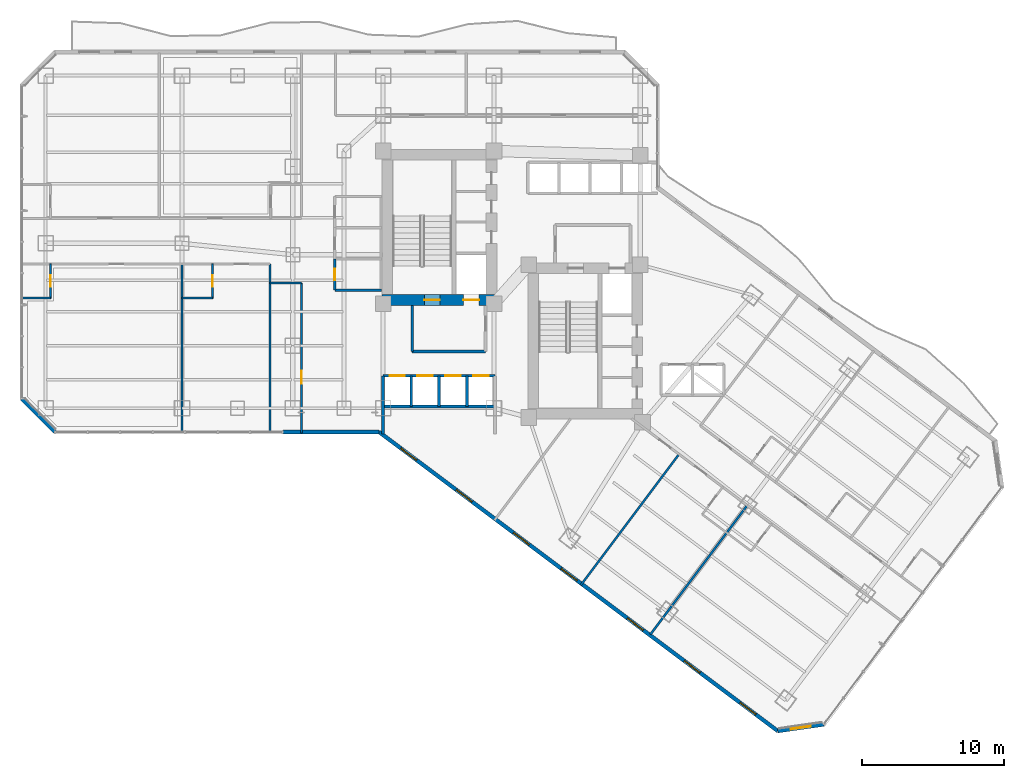
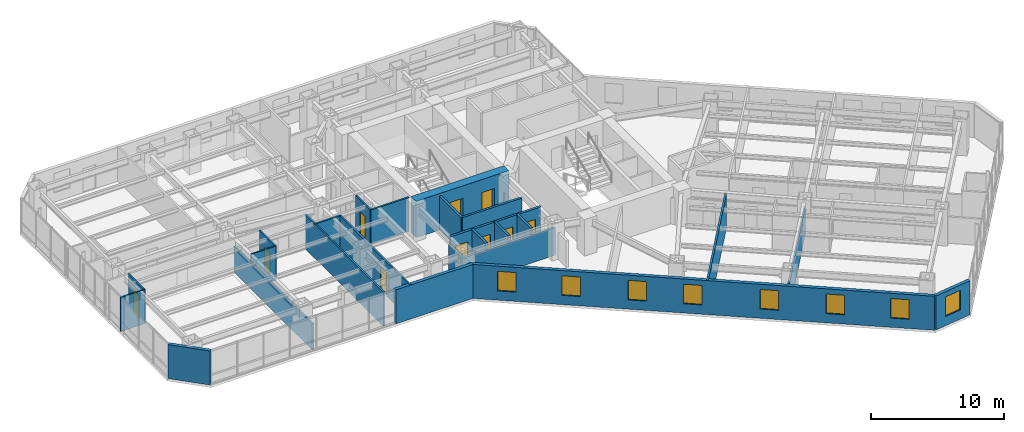
# One storey, part 23 of 37: 25 walls, 10 doors, 8 windows, 18 openings.
"""IFC4 building model written with IfcOpenShell, lengths in metres."""

from ifc_helpers import new_model, si_unit, direction, frame, frame_2d, origin, place, context, subcontext, project, spatial, rectangle, extrude, material, layer, layer_set, type_object, element, fill, save


model = new_model("IFC4")

# Units and contexts
model_context = context("Model", 3, precision=1e-05, world=origin(), true_north=direction((0.0, 1.0)))
body_context = subcontext(model_context, "Body", "Model", "MODEL_VIEW")
ifc_project = project(units=[si_unit("LENGTHUNIT", "METRE"), si_unit("AREAUNIT", "SQUARE_METRE"), si_unit("VOLUMEUNIT", "CUBIC_METRE"), si_unit("PLANEANGLEUNIT", "RADIAN"), si_unit("MASSUNIT", "GRAM", prefix="KILO")], contexts=[model_context])

# Site, building, storey
site_placement = place(None, origin())
site = spatial("IfcSite", under=ifc_project, at=site_placement, CompositionType="ELEMENT")
building_placement = place(site_placement, origin())
building = spatial("IfcBuilding", under=site, at=building_placement, Name="Hatsunagi Terrace Concourse", CompositionType="ELEMENT")
storey_placement = place(building_placement, frame((0.0, 0.0, 39.949951171875)))
storey = spatial("IfcBuildingStorey", under=building, at=storey_placement, Name="L09", CompositionType="ELEMENT", Elevation=39.949951171875)

# Wall, openings, doors
ifc_material_1 = material(Name="Concrete Fc60", Category="concrete")
ifc_layer_1 = layer(ifc_material_1, 0.75)
ifc_layer_set_1 = layer_set([ifc_layer_1], Name="CoreShearWall_Fc60_750")
wall_type_1 = type_object("IfcWallType", Name="CoreShearWall_Fc60_750", PredefinedType="SHEAR", material=ifc_layer_set_1)
wall_1_placement = place(storey_placement, frame((25.469970703125, 32.81494140625, 0.0), z_axis=(0.0, 0.0, 1.0), x_axis=(1.0, 0.0, 0.0)))
wall_1 = element("IfcWall", 1, at=wall_1_placement, inside=storey, type_object=wall_type_1, Name="Core A Shear Wall S L09", PredefinedType="SHEAR", context=body_context, shape_type="SweptSolid", body=[
    extrude(rectangle(XDim=8.080078125, YDim=0.75, at=frame_2d((4.0400390625, 0.0))), origin(), (0.0, 0.0, 1.0), 3.35009765625),
])
opening_1_placement = place(wall_1_placement, frame((2.97998046875, 0.0, 0.0)))
opening_1 = element("IfcOpeningElement", 2, at=opening_1_placement, cuts=wall_1, Name="Opening DR-110S", PredefinedType="OPENING", context=body_context, shape_type="SweptSolid", body=[
    extrude(rectangle(XDim=1.10009765625, YDim=2.199951171875, at=frame_2d((0.550048828125, 1.10009765625))), frame((0.0, 0.385009765625, 0.0), z_axis=(0.0, -1.0, 0.0), x_axis=(1.0, 0.0, 0.0)), (0.0, 0.0, 1.0), 0.77001953125),
])
opening_2_placement = place(wall_1_placement, frame((5.72998046875, 0.0, 0.0)))
opening_2 = element("IfcOpeningElement", 3, at=opening_2_placement, cuts=wall_1, Name="Opening LD-01", PredefinedType="OPENING", context=body_context, shape_type="SweptSolid", body=[
    extrude(rectangle(XDim=1.10009765625, YDim=2.14990234375, at=frame_2d((0.550048828125, 1.074951171875))), frame((0.0, 0.385009765625, 0.0), z_axis=(0.0, -1.0, 0.0), x_axis=(1.0, 0.0, 0.0)), (0.0, 0.0, 1.0), 0.77001953125),
])
ifc_material_2 = material(Name="Stainless steel", Category="steel")
door_type_1 = type_object("IfcDoorType", Name="LiftLandingDoor_LD01", OperationType="SLIDING_TO_LEFT", PredefinedType="USERDEFINED", material=ifc_material_2)
door_1_placement = place(opening_2_placement, origin())
door_1 = element("IfcDoor", 4, at=door_1_placement, inside=storey, type_object=door_type_1, Name="Lift landing door FF-01 L09", ObjectType="SLIDING_LANDING_DOOR", OperationType="SLIDING_TO_LEFT", OverallHeight=2.14990234375, OverallWidth=1.10009765625, PredefinedType="USERDEFINED", context=body_context, shape_type="SweptSolid", body=[
    extrude(rectangle(XDim=1.10009765625, YDim=2.14990234375, at=frame_2d((0.550048828125, 1.074951171875))), frame((0.0, 0.02490234375, 0.0), z_axis=(0.0, -1.0, 0.0), x_axis=(1.0, 0.0, 0.0)), (0.0, 0.0, 1.0), 0.050048828125),
])
fill(opening_2, door_1)
ifc_material_3 = material(Name="Painted steel", Category="steel")
door_type_2 = type_object("IfcDoorType", Name="StairFireDoor_EI60_1100", OperationType="NOTDEFINED", PredefinedType="DOOR", material=ifc_material_3)
door_2_placement = place(opening_1_placement, origin())
door_2 = element("IfcDoor", 5, at=door_2_placement, inside=storey, type_object=door_type_2, Name="Stair ST-A Exit Door L09", OperationType="SINGLE_SWING_LEFT", OverallHeight=2.199951171875, OverallWidth=1.10009765625, PredefinedType="DOOR", context=body_context, shape_type="SweptSolid", body=[
    extrude(rectangle(XDim=1.10009765625, YDim=2.199951171875, at=frame_2d((0.550048828125, 1.10009765625))), frame((0.0, 0.02490234375, 0.0), z_axis=(0.0, -1.0, 0.0), x_axis=(1.0, 0.0, 0.0)), (0.0, 0.0, 1.0), 0.050048828125),
])
fill(opening_1, door_2)

# Wall, opening, door
ifc_material_4 = material(Name="Acoustic mineral board", Category="gypsum")
ifc_layer_2 = layer(ifc_material_4, 0.1201171875)
ifc_layer_set_2 = layer_set([ifc_layer_2], Name="PartitionWall_EI30_120")
wall_type_2 = type_object("IfcWallType", Name="PartitionWall_EI30_120", PredefinedType="PARTITIONING", material=ifc_layer_set_2)
wall_2_placement = place(storey_placement, frame((2.14990234375, 32.949951171875, 0.0), z_axis=(0.0, 0.0, 1.0), x_axis=(0.0, 1.0, 0.0)))
wall_2 = element("IfcWall", 6, at=wall_2_placement, inside=storey, type_object=wall_type_2, Name="Interior Partition IW-L09-058", PredefinedType="PARTITIONING", context=body_context, shape_type="SweptSolid", body=[
    extrude(rectangle(XDim=2.400146484375, YDim=0.1201171875, at=frame_2d((1.2001953125, 0.0))), origin(), (0.0, 0.0, 1.0), 3.130126953125),
])
opening_3_placement = place(wall_2_placement, frame((0.800048828125, 0.0, 0.0)))
opening_3 = element("IfcOpeningElement", 7, at=opening_3_placement, cuts=wall_2, Name="Opening DR-080", PredefinedType="OPENING", context=body_context, shape_type="SweptSolid", body=[
    extrude(rectangle(XDim=0.800048828125, YDim=2.06005859375, at=frame_2d((0.39990234375, 1.030029296875))), frame((0.0, 0.070068359375, 0.0), z_axis=(0.0, -1.0, 0.0), x_axis=(1.0, 0.0, 0.0)), (0.0, 0.0, 1.0), 0.14013671875),
])
ifc_material_5 = material(Name="Hardwood timber", Category="wood")
door_type_3 = type_object("IfcDoorType", Name="BathroomDoor_800", OperationType="NOTDEFINED", PredefinedType="DOOR", material=ifc_material_5)
door_3_placement = place(opening_3_placement, origin())
door_3 = element("IfcDoor", 8, at=door_3_placement, inside=storey, type_object=door_type_3, Name="En-Suite Bathroom L09-S1 Door", OperationType="SINGLE_SWING_RIGHT", OverallHeight=2.06005859375, OverallWidth=0.800048828125, PredefinedType="DOOR", context=body_context, shape_type="SweptSolid", body=[
    extrude(rectangle(XDim=0.800048828125, YDim=2.06005859375, at=frame_2d((0.39990234375, 1.030029296875))), frame((0.0, 0.02490234375, 0.0), z_axis=(0.0, -1.0, 0.0), x_axis=(1.0, 0.0, 0.0)), (0.0, 0.0, 1.0), 0.050048828125),
])
fill(opening_3, door_3)

# Wall
wall_3_placement = place(storey_placement, frame((0.0400390625, 32.949951171875, 0.0), z_axis=(0.0, 0.0, 1.0), x_axis=(1.0, 0.0, 0.0)))
element("IfcWall", 9, at=wall_3_placement, inside=storey, type_object=wall_type_2, Name="Interior Partition IW-L09-059", PredefinedType="PARTITIONING", context=body_context, shape_type="SweptSolid", body=[
    extrude(rectangle(XDim=2.10986328125, YDim=0.1201171875, at=frame_2d((1.054931640625, 0.0))), origin(), (0.0, 0.0, 1.0), 3.130126953125),
])

# Wall, opening, door
wall_4_placement = place(storey_placement, frame((13.550048828125, 32.949951171875, 0.0), z_axis=(0.0, 0.0, 1.0), x_axis=(0.0, 1.0, 0.0)))
wall_4 = element("IfcWall", 10, at=wall_4_placement, inside=storey, type_object=wall_type_2, Name="Interior Partition IW-L09-063", PredefinedType="PARTITIONING", context=body_context, shape_type="SweptSolid", body=[
    extrude(rectangle(XDim=2.400146484375, YDim=0.1201171875, at=frame_2d((1.2001953125, 0.0))), origin(), (0.0, 0.0, 1.0), 3.130126953125),
])
opening_4_placement = place(wall_4_placement, frame((0.800048828125, 0.0, 0.0)))
opening_4 = element("IfcOpeningElement", 11, at=opening_4_placement, cuts=wall_4, Name="Opening DR-080", PredefinedType="OPENING", context=body_context, shape_type="SweptSolid", body=[
    extrude(rectangle(XDim=0.800048828125, YDim=2.06005859375, at=frame_2d((0.39990234375, 1.030029296875))), frame((0.0, 0.070068359375, 0.0), z_axis=(0.0, -1.0, 0.0), x_axis=(1.0, 0.0, 0.0)), (0.0, 0.0, 1.0), 0.14013671875),
])
door_4_placement = place(opening_4_placement, origin())
door_4 = element("IfcDoor", 12, at=door_4_placement, inside=storey, type_object=door_type_3, Name="En-Suite Bathroom L09-S2 Door", OperationType="SINGLE_SWING_RIGHT", OverallHeight=2.06005859375, OverallWidth=0.800048828125, PredefinedType="DOOR", context=body_context, shape_type="SweptSolid", body=[
    extrude(rectangle(XDim=0.800048828125, YDim=2.06005859375, at=frame_2d((0.39990234375, 1.030029296875))), frame((0.0, 0.02490234375, 0.0), z_axis=(0.0, -1.0, 0.0), x_axis=(1.0, 0.0, 0.0)), (0.0, 0.0, 1.0), 0.050048828125),
])
fill(opening_4, door_4)

# Walls
wall_5_placement = place(storey_placement, frame((11.39990234375, 32.949951171875, 0.0), z_axis=(0.0, 0.0, 1.0), x_axis=(1.0, 0.0, 0.0)))
element("IfcWall", 13, at=wall_5_placement, inside=storey, type_object=wall_type_2, Name="Interior Partition IW-L09-064", PredefinedType="PARTITIONING", context=body_context, shape_type="SweptSolid", body=[
    extrude(rectangle(XDim=2.150146484375, YDim=0.1201171875, at=frame_2d((1.0751953125, 0.0))), origin(), (0.0, 0.0, 1.0), 3.130126953125),
])
ifc_material_6 = material(Name="Acoustic mineral board", Category="gypsum")
ifc_layer_3 = layer(ifc_material_6, 0.14990234375)
ifc_layer_set_3 = layer_set([ifc_layer_3], Name="PartitionWall_EI60_150")
wall_type_3 = type_object("IfcWallType", Name="PartitionWall_EI60_150", PredefinedType="PARTITIONING", material=ifc_layer_set_3)
wall_6_placement = place(storey_placement, frame((22.14990234375, 33.5, 0.0), z_axis=(0.0, 0.0, 1.0), x_axis=(1.0, 0.0, 0.0)))
element("IfcWall", 14, at=wall_6_placement, inside=storey, type_object=wall_type_3, Name="Interior Partition IW-L09-031", PredefinedType="PARTITIONING", context=body_context, shape_type="SweptSolid", body=[
    extrude(rectangle(XDim=3.300048828125, YDim=0.14990234375, at=frame_2d((1.64990234375, 0.0))), origin(), (0.0, 0.0, 1.0), 3.130126953125),
])

# Wall, opening, door
wall_7_placement = place(storey_placement, frame((22.14990234375, 33.5, 0.0), z_axis=(0.0, 0.0, 1.0), x_axis=(0.0, 1.0, 0.0)))
wall_7 = element("IfcWall", 15, at=wall_7_placement, inside=storey, type_object=wall_type_3, Name="Interior Partition IW-L09-036", PredefinedType="PARTITIONING", context=body_context, shape_type="SweptSolid", body=[
    extrude(rectangle(XDim=2.199951171875, YDim=0.14990234375, at=frame_2d((1.10009765625, 0.0))), origin(), (0.0, 0.0, 1.0), 3.130126953125),
])
opening_5_placement = place(wall_7_placement, frame((0.699951171875, 0.0, 0.0)))
opening_5 = element("IfcOpeningElement", 16, at=opening_5_placement, cuts=wall_7, Name="Opening DR-080", PredefinedType="OPENING", context=body_context, shape_type="SweptSolid", body=[
    extrude(rectangle(XDim=0.800048828125, YDim=2.06005859375, at=frame_2d((0.39990234375, 1.030029296875))), frame((0.0, 0.0849609375, 0.0), z_axis=(0.0, -1.0, 0.0), x_axis=(1.0, 0.0, 0.0)), (0.0, 0.0, 1.0), 0.169921875),
])
door_5_placement = place(opening_5_placement, origin())
door_5 = element("IfcDoor", 17, at=door_5_placement, inside=storey, type_object=door_type_3, Name="Accessible WC Door L09", OperationType="SINGLE_SWING_RIGHT", OverallHeight=2.06005859375, OverallWidth=0.800048828125, PredefinedType="DOOR", context=body_context, shape_type="SweptSolid", body=[
    extrude(rectangle(XDim=0.800048828125, YDim=2.06005859375, at=frame_2d((0.39990234375, 1.030029296875))), frame((0.0, 0.02490234375, 0.0), z_axis=(0.0, -1.0, 0.0), x_axis=(1.0, 0.0, 0.0)), (0.0, 0.0, 1.0), 0.050048828125),
])
fill(opening_5, door_5)

# Walls
wall_8_placement = place(storey_placement, frame((39.464111328125, 12.751953125, 0.0), z_axis=(0.0, 0.0, 1.0), x_axis=(0.6, 0.8, 0.0)))
element("IfcWall", 18, at=wall_8_placement, inside=storey, type_object=wall_type_3, Name="Interior Partition IW-L09-045", PredefinedType="PARTITIONING", context=body_context, shape_type="SweptSolid", body=[
    extrude(rectangle(XDim=11.510009765625, YDim=0.14990234375, at=frame_2d((5.7548828125, 0.0))), origin(), (0.0, 0.0, 1.0), 3.130126953125),
])
wall_9_placement = place(storey_placement, frame((11.39990234375, 23.60009765625, 0.0), z_axis=(0.0, 0.0, 1.0), x_axis=(0.0, 1.0, 0.0)))
element("IfcWall", 19, at=wall_9_placement, inside=storey, type_object=wall_type_3, Name="Interior Partition IW-L09-060", PredefinedType="PARTITIONING", context=body_context, shape_type="SweptSolid", body=[
    extrude(rectangle(XDim=11.75, YDim=0.14990234375, at=frame_2d((5.875, 0.0))), origin(), (0.0, 0.0, 1.0), 2.425048828125),
])
wall_10_placement = place(storey_placement, frame((17.60009765625, 23.60009765625, 0.0), z_axis=(0.0, 0.0, 1.0), x_axis=(0.0, 1.0, 0.0)))
element("IfcWall", 20, at=wall_10_placement, inside=storey, type_object=wall_type_3, Name="Interior Partition IW-L09-065", PredefinedType="PARTITIONING", context=body_context, shape_type="SweptSolid", body=[
    extrude(rectangle(XDim=11.75, YDim=0.14990234375, at=frame_2d((5.875, 0.0))), origin(), (0.0, 0.0, 1.0), 3.130126953125),
])
wall_11_placement = place(storey_placement, frame((17.60009765625, 34.0, 0.0), z_axis=(0.0, 0.0, 1.0), x_axis=(1.0, 0.0, 0.0)))
element("IfcWall", 21, at=wall_11_placement, inside=storey, type_object=wall_type_3, Name="Interior Partition IW-L09-066", PredefinedType="PARTITIONING", context=body_context, shape_type="SweptSolid", body=[
    extrude(rectangle(XDim=2.199951171875, YDim=0.14990234375, at=frame_2d((1.10009765625, 0.0))), origin(), (0.0, 0.0, 1.0), 3.130126953125),
])

# Wall, opening, door
wall_12_placement = place(storey_placement, frame((19.800048828125, 23.43994140625, 0.0), z_axis=(0.0, 0.0, 1.0), x_axis=(0.0, 1.0, 0.0)))
wall_12 = element("IfcWall", 22, at=wall_12_placement, inside=storey, type_object=wall_type_3, Name="Interior Partition IW-L09-067", PredefinedType="PARTITIONING", context=body_context, shape_type="SweptSolid", body=[
    extrude(rectangle(XDim=10.56005859375, YDim=0.14990234375, at=frame_2d((5.280029296875, 0.0))), origin(), (0.0, 0.0, 1.0), 3.130126953125),
])
opening_6_placement = place(wall_12_placement, frame((3.4951171875, 0.0, 0.0)))
opening_6 = element("IfcOpeningElement", 23, at=opening_6_placement, cuts=wall_12, Name="Opening DR-090", PredefinedType="OPENING", context=body_context, shape_type="SweptSolid", body=[
    extrude(rectangle(XDim=0.89990234375, YDim=2.14990234375, at=frame_2d((0.449951171875, 1.074951171875))), frame((0.0, 0.0849609375, 0.0), z_axis=(0.0, -1.0, 0.0), x_axis=(1.0, 0.0, 0.0)), (0.0, 0.0, 1.0), 0.169921875),
])
ifc_material_7 = material(Name="Hardwood timber", Category="wood")
door_type_4 = type_object("IfcDoorType", Name="CrownPavilionDoor_EI30_900", OperationType="NOTDEFINED", PredefinedType="DOOR", material=ifc_material_7)
door_6_placement = place(opening_6_placement, origin())
door_6 = element("IfcDoor", 24, at=door_6_placement, inside=storey, type_object=door_type_4, Name="Catering Pantry L09-HPAN Door", OperationType="SINGLE_SWING_RIGHT", OverallHeight=2.14990234375, OverallWidth=0.89990234375, PredefinedType="DOOR", context=body_context, shape_type="SweptSolid", body=[
    extrude(rectangle(XDim=0.89990234375, YDim=2.14990234375, at=frame_2d((0.449951171875, 1.074951171875))), frame((0.0, 0.02490234375, 0.0), z_axis=(0.0, -1.0, 0.0), x_axis=(1.0, 0.0, 0.0)), (0.0, 0.0, 1.0), 0.050048828125),
])
fill(opening_6, door_6)

# Walls
wall_13_placement = place(storey_placement, frame((44.360107421875, 9.280029296875, 0.0), z_axis=(0.0, 0.0, 1.0), x_axis=(0.599986233332, 0.800010324816, 0.0)))
element("IfcWall", 25, at=wall_13_placement, inside=storey, type_object=wall_type_3, Name="Interior Partition IW-L09-087", PredefinedType="PARTITIONING", context=body_context, shape_type="SweptSolid", body=[
    extrude(rectangle(XDim=11.349853515625, YDim=0.14990234375, at=frame_2d((5.6748046875, 0.0))), origin(), (0.0, 0.0, 1.0), 2.425048828125),
])
ifc_material_8 = material(Name="Acoustic mineral board", Category="gypsum")
ifc_layer_4 = layer(ifc_material_8, 0.199951171875)
ifc_layer_set_4 = layer_set([ifc_layer_4], Name="ShaftWall_EI120_200")
wall_type_4 = type_object("IfcWallType", Name="ShaftWall_EI120_200", PredefinedType="STANDARD", material=ifc_layer_set_4)
wall_14_placement = place(storey_placement, frame((27.60009765625, 29.199951171875, 0.0), z_axis=(0.0, 0.0, 1.0), x_axis=(1.0, 0.0, 0.0)))
element("IfcWall", 26, at=wall_14_placement, inside=storey, type_object=wall_type_4, Name="Interior Partition IW-L09-007", PredefinedType="STANDARD", context=body_context, shape_type="SweptSolid", body=[
    extrude(rectangle(XDim=5.14990234375, YDim=0.199951171875, at=frame_2d((2.574951171875, 0.0))), origin(), (0.0, 0.0, 1.0), 3.130126953125),
])
wall_15_placement = place(storey_placement, frame((27.60009765625, 29.199951171875, 0.0), z_axis=(0.0, 0.0, 1.0), x_axis=(0.0, 1.0, 0.0)))
element("IfcWall", 27, at=wall_15_placement, inside=storey, type_object=wall_type_4, Name="Interior Partition IW-L09-008", PredefinedType="STANDARD", context=body_context, shape_type="SweptSolid", body=[
    extrude(rectangle(XDim=3.239990234375, YDim=0.199951171875, at=frame_2d((1.6201171875, 0.0))), origin(), (0.0, 0.0, 1.0), 3.130126953125),
])
wall_16_placement = place(storey_placement, frame((25.550048828125, 23.39990234375, 0.0), z_axis=(0.0, 0.0, 1.0), x_axis=(0.0, 1.0, 0.0)))
element("IfcWall", 28, at=wall_16_placement, inside=storey, type_object=wall_type_4, Name="Interior Partition IW-L09-013", PredefinedType="STANDARD", context=body_context, shape_type="SweptSolid", body=[
    extrude(rectangle(XDim=4.080078125, YDim=0.199951171875, at=frame_2d((2.0400390625, 0.0))), origin(), (0.0, 0.0, 1.0), 2.425048828125),
])
wall_17_placement = place(storey_placement, frame((25.550048828125, 25.320068359375, 0.0), z_axis=(0.0, 0.0, 1.0), x_axis=(1.0, 0.0, 0.0)))
element("IfcWall", 29, at=wall_17_placement, inside=storey, type_object=wall_type_4, Name="Interior Partition IW-L09-015", PredefinedType="STANDARD", context=body_context, shape_type="SweptSolid", body=[
    extrude(rectangle(XDim=7.8798828125, YDim=0.199951171875, at=frame_2d((3.93994140625, 0.0))), origin(), (0.0, 0.0, 1.0), 2.525146484375),
])
for number, where, z_axis, x_axis, name in (
    (30, (27.530029296875, 25.320068359375, 0.0), (0.0, 0.0, 1.0), (0.0, 1.0, 0.0), "Interior Partition IW-L09-016"),
    (31, (29.489990234375, 25.320068359375, 0.0), (0.0, 0.0, 1.0), (0.0, 1.0, 0.0), "Interior Partition IW-L09-017"),
    (32, (31.449951171875, 25.320068359375, 0.0), (0.0, 0.0, 1.0), (0.0, 1.0, 0.0), "Interior Partition IW-L09-018"),
):
    element("IfcWall", number, at=place(storey_placement, frame(where, z_axis=z_axis, x_axis=x_axis)), inside=storey, type_object=wall_type_4, Name=name, PredefinedType="STANDARD", context=body_context, shape_type="SweptSolid", body=[
        extrude(rectangle(XDim=2.159912109375, YDim=0.199951171875, at=frame_2d((1.080078125, 0.0))), origin(), (0.0, 0.0, 1.0), 3.130126953125),
    ])

# Wall, openings, doors
wall_18_placement = place(storey_placement, frame((25.550048828125, 27.47998046875, 0.0), z_axis=(0.0, 0.0, 1.0), x_axis=(1.0, 0.0, 0.0)))
wall_18 = element("IfcWall", 33, at=wall_18_placement, inside=storey, type_object=wall_type_4, Name="Interior Partition IW-L09-019", PredefinedType="STANDARD", context=body_context, shape_type="SweptSolid", body=[
    extrude(rectangle(XDim=7.8798828125, YDim=0.199951171875, at=frame_2d((3.93994140625, 0.0))), origin(), (0.0, 0.0, 1.0), 3.130126953125),
])
opening_7_placement = place(wall_18_placement, frame((0.4599609375, 0.0, 0.0)))
opening_7 = element("IfcOpeningElement", 34, at=opening_7_placement, cuts=wall_18, Name="Opening LD-03", PredefinedType="OPENING", context=body_context, shape_type="SweptSolid", body=[
    extrude(rectangle(XDim=1.080078125, YDim=2.14990234375, at=frame_2d((0.5400390625, 1.074951171875))), frame((0.0, 0.10986328125, 0.0), z_axis=(0.0, -1.0, 0.0), x_axis=(1.0, 0.0, 0.0)), (0.0, 0.0, 1.0), 0.219970703125),
])
opening_8_placement = place(wall_18_placement, frame((2.419921875, 0.0, 0.0)))
opening_8 = element("IfcOpeningElement", 35, at=opening_8_placement, cuts=wall_18, Name="Opening LD-03", PredefinedType="OPENING", context=body_context, shape_type="SweptSolid", body=[
    extrude(rectangle(XDim=1.080078125, YDim=2.14990234375, at=frame_2d((0.5400390625, 1.074951171875))), frame((0.0, 0.10986328125, 0.0), z_axis=(0.0, -1.0, 0.0), x_axis=(1.0, 0.0, 0.0)), (0.0, 0.0, 1.0), 0.219970703125),
])
opening_9_placement = place(wall_18_placement, frame((4.3798828125, 0.0, 0.0)))
opening_9 = element("IfcOpeningElement", 36, at=opening_9_placement, cuts=wall_18, Name="Opening LD-03", PredefinedType="OPENING", context=body_context, shape_type="SweptSolid", body=[
    extrude(rectangle(XDim=1.080078125, YDim=2.14990234375, at=frame_2d((0.5400390625, 1.074951171875))), frame((0.0, 0.10986328125, 0.0), z_axis=(0.0, -1.0, 0.0), x_axis=(1.0, 0.0, 0.0)), (0.0, 0.0, 1.0), 0.219970703125),
])
opening_10_placement = place(wall_18_placement, frame((6.340087890625, 0.0, 0.0)))
opening_10 = element("IfcOpeningElement", 37, at=opening_10_placement, cuts=wall_18, Name="Opening LD-03", PredefinedType="OPENING", context=body_context, shape_type="SweptSolid", body=[
    extrude(rectangle(XDim=1.080078125, YDim=2.14990234375, at=frame_2d((0.5400390625, 1.074951171875))), frame((0.0, 0.10986328125, 0.0), z_axis=(0.0, -1.0, 0.0), x_axis=(1.0, 0.0, 0.0)), (0.0, 0.0, 1.0), 0.219970703125),
])
ifc_material_9 = material(Name="Stainless steel", Category="steel")
door_type_5 = type_object("IfcDoorType", Name="LiftLandingDoor_LD03", OperationType="SLIDING_TO_LEFT", PredefinedType="USERDEFINED", material=ifc_material_9)
door_7_placement = place(opening_7_placement, origin())
door_7 = element("IfcDoor", 38, at=door_7_placement, inside=storey, type_object=door_type_5, Name="Lift landing door PL-01 L09", ObjectType="SLIDING_LANDING_DOOR", OperationType="SLIDING_TO_LEFT", OverallHeight=2.14990234375, OverallWidth=1.080078125, PredefinedType="USERDEFINED", context=body_context, shape_type="SweptSolid", body=[
    extrude(rectangle(XDim=1.080078125, YDim=2.14990234375, at=frame_2d((0.5400390625, 1.074951171875))), frame((0.0, 0.02490234375, 0.0), z_axis=(0.0, -1.0, 0.0), x_axis=(1.0, 0.0, 0.0)), (0.0, 0.0, 1.0), 0.050048828125),
])
fill(opening_7, door_7)
door_8_placement = place(opening_8_placement, origin())
door_8 = element("IfcDoor", 39, at=door_8_placement, inside=storey, type_object=door_type_5, Name="Lift landing door PL-02 L09", ObjectType="SLIDING_LANDING_DOOR", OperationType="SLIDING_TO_LEFT", OverallHeight=2.14990234375, OverallWidth=1.080078125, PredefinedType="USERDEFINED", context=body_context, shape_type="SweptSolid", body=[
    extrude(rectangle(XDim=1.080078125, YDim=2.14990234375, at=frame_2d((0.5400390625, 1.074951171875))), frame((0.0, 0.02490234375, 0.0), z_axis=(0.0, -1.0, 0.0), x_axis=(1.0, 0.0, 0.0)), (0.0, 0.0, 1.0), 0.050048828125),
])
fill(opening_8, door_8)
door_9_placement = place(opening_9_placement, origin())
door_9 = element("IfcDoor", 40, at=door_9_placement, inside=storey, type_object=door_type_5, Name="Lift landing door PL-03 L09", ObjectType="SLIDING_LANDING_DOOR", OperationType="SLIDING_TO_LEFT", OverallHeight=2.14990234375, OverallWidth=1.080078125, PredefinedType="USERDEFINED", context=body_context, shape_type="SweptSolid", body=[
    extrude(rectangle(XDim=1.080078125, YDim=2.14990234375, at=frame_2d((0.5400390625, 1.074951171875))), frame((0.0, 0.02490234375, 0.0), z_axis=(0.0, -1.0, 0.0), x_axis=(1.0, 0.0, 0.0)), (0.0, 0.0, 1.0), 0.050048828125),
])
fill(opening_9, door_9)
door_10_placement = place(opening_10_placement, origin())
door_10 = element("IfcDoor", 41, at=door_10_placement, inside=storey, type_object=door_type_5, Name="Lift landing door PL-04 L09", ObjectType="SLIDING_LANDING_DOOR", OperationType="SLIDING_TO_LEFT", OverallHeight=2.14990234375, OverallWidth=1.080078125, PredefinedType="USERDEFINED", context=body_context, shape_type="SweptSolid", body=[
    extrude(rectangle(XDim=1.080078125, YDim=2.14990234375, at=frame_2d((0.5400390625, 1.074951171875))), frame((0.0, 0.02490234375, 0.0), z_axis=(0.0, -1.0, 0.0), x_axis=(1.0, 0.0, 0.0)), (0.0, 0.0, 1.0), 0.050048828125),
])
fill(opening_10, door_10)

# Wall, opening, window
ifc_material_10 = material(Name="Autoclaved Lightweight Concrete and Terracotta Cladding", Category="masonry")
ifc_layer_5 = layer(ifc_material_10, 0.280029296875)
ifc_layer_set_5 = layer_set([ifc_layer_5], Name="TerracottaSpandrelWall_280")
wall_type_5 = type_object("IfcWallType", Name="TerracottaSpandrelWall_280", PredefinedType="STANDARD", material=ifc_layer_set_5)
wall_19_placement = place(storey_placement, frame((56.56298828125, 2.949951171875, 0.0), z_axis=(0.0, 0.0, 1.0), x_axis=(-0.989977778067, -0.141223223777, 0.0)))
wall_19 = element("IfcWall", 42, at=wall_19_placement, inside=storey, type_object=wall_type_5, Name="Exterior Spandrel Wall EW-L09-04", PredefinedType="STANDARD", context=body_context, shape_type="SweptSolid", body=[
    extrude(rectangle(XDim=3.27783203125, YDim=0.280029296875, at=frame_2d((1.638916015625, 0.0))), origin(), (0.0, 0.0, 1.0), 3.130126953125),
])
opening_11_placement = place(wall_19_placement, frame((0.93896484375, 0.0, 0.85009765625)))
opening_11 = element("IfcOpeningElement", 43, at=opening_11_placement, cuts=wall_19, Name="Opening WIN-02", PredefinedType="OPENING", context=body_context, shape_type="SweptSolid", body=[
    extrude(rectangle(XDim=1.39990234375, YDim=1.800048828125, at=frame_2d((0.699951171875, 0.89990234375))), frame((0.0, 0.14990234375, 0.0), z_axis=(0.0, -1.0, 0.0), x_axis=(1.0, 0.0, 0.0)), (0.0, 0.0, 1.0), 0.300048828125),
])
ifc_material_11 = material(Name="Thermally Broken Aluminium and Low-E Triple Glazing", Category="aluminium")
window_type = type_object("IfcWindowType", Name="HotelOperableVentWindow_1400x1800", PartitioningType="DOUBLE_PANEL_VERTICAL", PredefinedType="WINDOW", material=ifc_material_11)
window_1_placement = place(opening_11_placement, origin())
window_1 = element("IfcWindow", 44, at=window_1_placement, inside=storey, type_object=window_type, Name="Hotel Guestroom Window L09-04-1", OverallHeight=1.800048828125, OverallWidth=1.39990234375, PartitioningType="SINGLE_PANEL", PredefinedType="WINDOW", context=body_context, shape_type="SweptSolid", body=[
    extrude(rectangle(XDim=1.39990234375, YDim=1.800048828125, at=frame_2d((0.699951171875, 0.89990234375))), frame((0.0, 0.030029296875, 0.0), z_axis=(0.0, -1.0, 0.0), x_axis=(1.0, 0.0, 0.0)), (0.0, 0.0, 1.0), 0.06005859375),
])
fill(opening_11, window_1)

# Wall, openings, windows
wall_20_placement = place(storey_placement, frame((53.318115234375, 2.487060546875, 0.0), z_axis=(0.0, 0.0, 1.0), x_axis=(-0.800004174678, 0.599994433723, 0.0)))
wall_20 = element("IfcWall", 45, at=wall_20_placement, inside=storey, type_object=wall_type_5, Name="Exterior Spandrel Wall EW-L09-05", PredefinedType="STANDARD", context=body_context, shape_type="SweptSolid", body=[
    extrude(rectangle(XDim=35.088623046875, YDim=0.280029296875, at=frame_2d((17.54443359375, 0.0))), origin(), (0.0, 0.0, 1.0), 3.130126953125),
])
opening_12_placement = place(wall_20_placement, frame((1.930908203125, 0.0, 0.85009765625)))
opening_12 = element("IfcOpeningElement", 46, at=opening_12_placement, cuts=wall_20, Name="Opening WIN-02", PredefinedType="OPENING", context=body_context, shape_type="SweptSolid", body=[
    extrude(rectangle(XDim=1.39990234375, YDim=1.800048828125, at=frame_2d((0.699951171875, 0.89990234375))), frame((0.0, 0.14990234375, 0.0), z_axis=(0.0, -1.0, 0.0), x_axis=(1.0, 0.0, 0.0)), (0.0, 0.0, 1.0), 0.300048828125),
])
opening_13_placement = place(wall_20_placement, frame((6.819091796875, 0.0, 0.85009765625)))
opening_13 = element("IfcOpeningElement", 47, at=opening_13_placement, cuts=wall_20, Name="Opening WIN-02", PredefinedType="OPENING", context=body_context, shape_type="SweptSolid", body=[
    extrude(rectangle(XDim=1.39990234375, YDim=1.800048828125, at=frame_2d((0.699951171875, 0.89990234375))), frame((0.0, 0.14990234375, 0.0), z_axis=(0.0, -1.0, 0.0), x_axis=(1.0, 0.0, 0.0)), (0.0, 0.0, 1.0), 0.300048828125),
])
opening_14_placement = place(wall_20_placement, frame((11.83203125, 0.0, 0.85009765625)))
opening_14 = element("IfcOpeningElement", 48, at=opening_14_placement, cuts=wall_20, Name="Opening WIN-02", PredefinedType="OPENING", context=body_context, shape_type="SweptSolid", body=[
    extrude(rectangle(XDim=1.39990234375, YDim=1.800048828125, at=frame_2d((0.699951171875, 0.89990234375))), frame((0.0, 0.14990234375, 0.0), z_axis=(0.0, -1.0, 0.0), x_axis=(1.0, 0.0, 0.0)), (0.0, 0.0, 1.0), 0.300048828125),
])
opening_15_placement = place(wall_20_placement, frame((17.64697265625, 0.0, 0.85009765625)))
opening_15 = element("IfcOpeningElement", 49, at=opening_15_placement, cuts=wall_20, Name="Opening WIN-02", PredefinedType="OPENING", context=body_context, shape_type="SweptSolid", body=[
    extrude(rectangle(XDim=1.39990234375, YDim=1.800048828125, at=frame_2d((0.699951171875, 0.89990234375))), frame((0.0, 0.14990234375, 0.0), z_axis=(0.0, -1.0, 0.0), x_axis=(1.0, 0.0, 0.0)), (0.0, 0.0, 1.0), 0.300048828125),
])
opening_16_placement = place(wall_20_placement, frame((21.85693359375, 0.0, 0.85009765625)))
opening_16 = element("IfcOpeningElement", 50, at=opening_16_placement, cuts=wall_20, Name="Opening WIN-02", PredefinedType="OPENING", context=body_context, shape_type="SweptSolid", body=[
    extrude(rectangle(XDim=1.39990234375, YDim=1.800048828125, at=frame_2d((0.699951171875, 0.89990234375))), frame((0.0, 0.14990234375, 0.0), z_axis=(0.0, -1.0, 0.0), x_axis=(1.0, 0.0, 0.0)), (0.0, 0.0, 1.0), 0.300048828125),
])
opening_17_placement = place(wall_20_placement, frame((26.8701171875, 0.0, 0.85009765625)))
opening_17 = element("IfcOpeningElement", 51, at=opening_17_placement, cuts=wall_20, Name="Opening WIN-02", PredefinedType="OPENING", context=body_context, shape_type="SweptSolid", body=[
    extrude(rectangle(XDim=1.39990234375, YDim=1.800048828125, at=frame_2d((0.699951171875, 0.89990234375))), frame((0.0, 0.14990234375, 0.0), z_axis=(0.0, -1.0, 0.0), x_axis=(1.0, 0.0, 0.0)), (0.0, 0.0, 1.0), 0.300048828125),
])
opening_18_placement = place(wall_20_placement, frame((31.757080078125, 0.0, 0.85009765625)))
opening_18 = element("IfcOpeningElement", 52, at=opening_18_placement, cuts=wall_20, Name="Opening WIN-02", PredefinedType="OPENING", context=body_context, shape_type="SweptSolid", body=[
    extrude(rectangle(XDim=1.39990234375, YDim=1.800048828125, at=frame_2d((0.699951171875, 0.89990234375))), frame((0.0, 0.14990234375, 0.0), z_axis=(0.0, -1.0, 0.0), x_axis=(1.0, 0.0, 0.0)), (0.0, 0.0, 1.0), 0.300048828125),
])
window_2_placement = place(opening_12_placement, origin())
window_2 = element("IfcWindow", 53, at=window_2_placement, inside=storey, type_object=window_type, Name="Hotel Perimeter Window L09-05-1", OverallHeight=1.800048828125, OverallWidth=1.39990234375, PartitioningType="SINGLE_PANEL", PredefinedType="WINDOW", context=body_context, shape_type="SweptSolid", body=[
    extrude(rectangle(XDim=1.39990234375, YDim=1.800048828125, at=frame_2d((0.699951171875, 0.89990234375))), frame((0.0, 0.030029296875, 0.0), z_axis=(0.0, -1.0, 0.0), x_axis=(1.0, 0.0, 0.0)), (0.0, 0.0, 1.0), 0.06005859375),
])
fill(opening_12, window_2)
window_3_placement = place(opening_13_placement, origin())
window_3 = element("IfcWindow", 54, at=window_3_placement, inside=storey, type_object=window_type, Name="Hotel Perimeter Window L09-05-2", OverallHeight=1.800048828125, OverallWidth=1.39990234375, PartitioningType="SINGLE_PANEL", PredefinedType="WINDOW", context=body_context, shape_type="SweptSolid", body=[
    extrude(rectangle(XDim=1.39990234375, YDim=1.800048828125, at=frame_2d((0.699951171875, 0.89990234375))), frame((0.0, 0.030029296875, 0.0), z_axis=(0.0, -1.0, 0.0), x_axis=(1.0, 0.0, 0.0)), (0.0, 0.0, 1.0), 0.06005859375),
])
fill(opening_13, window_3)
window_4_placement = place(opening_14_placement, origin())
window_4 = element("IfcWindow", 55, at=window_4_placement, inside=storey, type_object=window_type, Name="Hotel Perimeter Window L09-05-3", OverallHeight=1.800048828125, OverallWidth=1.39990234375, PartitioningType="SINGLE_PANEL", PredefinedType="WINDOW", context=body_context, shape_type="SweptSolid", body=[
    extrude(rectangle(XDim=1.39990234375, YDim=1.800048828125, at=frame_2d((0.699951171875, 0.89990234375))), frame((0.0, 0.030029296875, 0.0), z_axis=(0.0, -1.0, 0.0), x_axis=(1.0, 0.0, 0.0)), (0.0, 0.0, 1.0), 0.06005859375),
])
fill(opening_14, window_4)
window_5_placement = place(opening_15_placement, origin())
window_5 = element("IfcWindow", 56, at=window_5_placement, inside=storey, type_object=window_type, Name="Hotel Perimeter Window L09-05-4", OverallHeight=1.800048828125, OverallWidth=1.39990234375, PartitioningType="SINGLE_PANEL", PredefinedType="WINDOW", context=body_context, shape_type="SweptSolid", body=[
    extrude(rectangle(XDim=1.39990234375, YDim=1.800048828125, at=frame_2d((0.699951171875, 0.89990234375))), frame((0.0, 0.030029296875, 0.0), z_axis=(0.0, -1.0, 0.0), x_axis=(1.0, 0.0, 0.0)), (0.0, 0.0, 1.0), 0.06005859375),
])
fill(opening_15, window_5)
window_6_placement = place(opening_16_placement, origin())
window_6 = element("IfcWindow", 57, at=window_6_placement, inside=storey, type_object=window_type, Name="Hotel Perimeter Window L09-05-5", OverallHeight=1.800048828125, OverallWidth=1.39990234375, PartitioningType="SINGLE_PANEL", PredefinedType="WINDOW", context=body_context, shape_type="SweptSolid", body=[
    extrude(rectangle(XDim=1.39990234375, YDim=1.800048828125, at=frame_2d((0.699951171875, 0.89990234375))), frame((0.0, 0.030029296875, 0.0), z_axis=(0.0, -1.0, 0.0), x_axis=(1.0, 0.0, 0.0)), (0.0, 0.0, 1.0), 0.06005859375),
])
fill(opening_16, window_6)
window_7_placement = place(opening_17_placement, origin())
window_7 = element("IfcWindow", 58, at=window_7_placement, inside=storey, type_object=window_type, Name="Hotel Perimeter Window L09-05-6", OverallHeight=1.800048828125, OverallWidth=1.39990234375, PartitioningType="SINGLE_PANEL", PredefinedType="WINDOW", context=body_context, shape_type="SweptSolid", body=[
    extrude(rectangle(XDim=1.39990234375, YDim=1.800048828125, at=frame_2d((0.699951171875, 0.89990234375))), frame((0.0, 0.030029296875, 0.0), z_axis=(0.0, -1.0, 0.0), x_axis=(1.0, 0.0, 0.0)), (0.0, 0.0, 1.0), 0.06005859375),
])
fill(opening_17, window_7)
window_8_placement = place(opening_18_placement, origin())
window_8 = element("IfcWindow", 59, at=window_8_placement, inside=storey, type_object=window_type, Name="Hotel Perimeter Window L09-05-7", OverallHeight=1.800048828125, OverallWidth=1.39990234375, PartitioningType="SINGLE_PANEL", PredefinedType="WINDOW", context=body_context, shape_type="SweptSolid", body=[
    extrude(rectangle(XDim=1.39990234375, YDim=1.800048828125, at=frame_2d((0.699951171875, 0.89990234375))), frame((0.0, 0.030029296875, 0.0), z_axis=(0.0, -1.0, 0.0), x_axis=(1.0, 0.0, 0.0)), (0.0, 0.0, 1.0), 0.06005859375),
])
fill(opening_18, window_8)

# Walls
wall_21_placement = place(storey_placement, frame((25.2470703125, 23.5400390625, 0.0), z_axis=(0.0, 0.0, 1.0), x_axis=(-1.0, 0.0, 0.0)))
element("IfcWall", 60, at=wall_21_placement, inside=storey, type_object=wall_type_5, Name="Exterior Spandrel Wall EW-L09-06", PredefinedType="STANDARD", context=body_context, shape_type="SweptSolid", body=[
    extrude(rectangle(XDim=6.7470703125, YDim=0.280029296875, at=frame_2d((3.37353515625, 0.0))), origin(), (0.0, 0.0, 1.0), 3.130126953125),
])
wall_22_placement = place(storey_placement, frame((2.4580078125, 23.5400390625, 0.0), z_axis=(0.0, 0.0, 1.0), x_axis=(-0.707144017911, 0.707069542501, 0.0)))
element("IfcWall", 61, at=wall_22_placement, inside=storey, type_object=wall_type_5, Name="Exterior Spandrel Wall EW-L09-08", PredefinedType="STANDARD", context=body_context, shape_type="SweptSolid", body=[
    extrude(rectangle(XDim=3.278076171875, YDim=0.280029296875, at=frame_2d((1.63916015625, 0.0))), origin(), (0.0, 0.0, 1.0), 3.130126953125),
])

save(model, "model.ifc")
